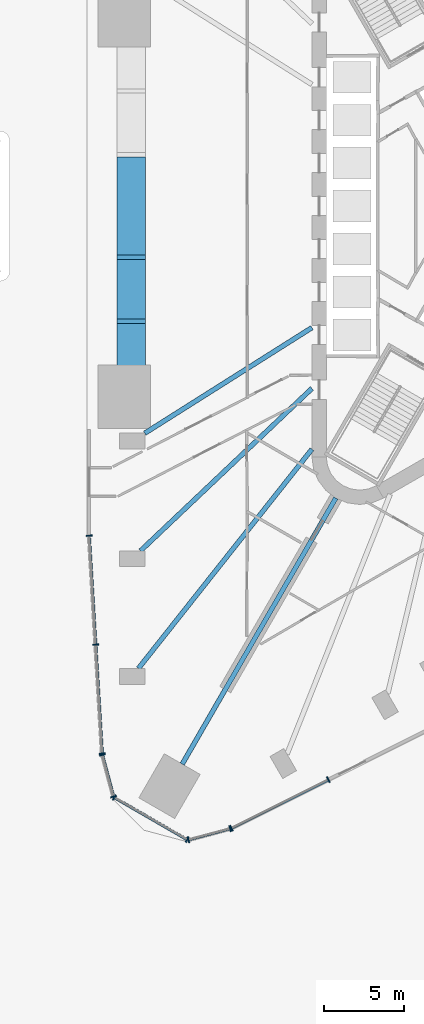
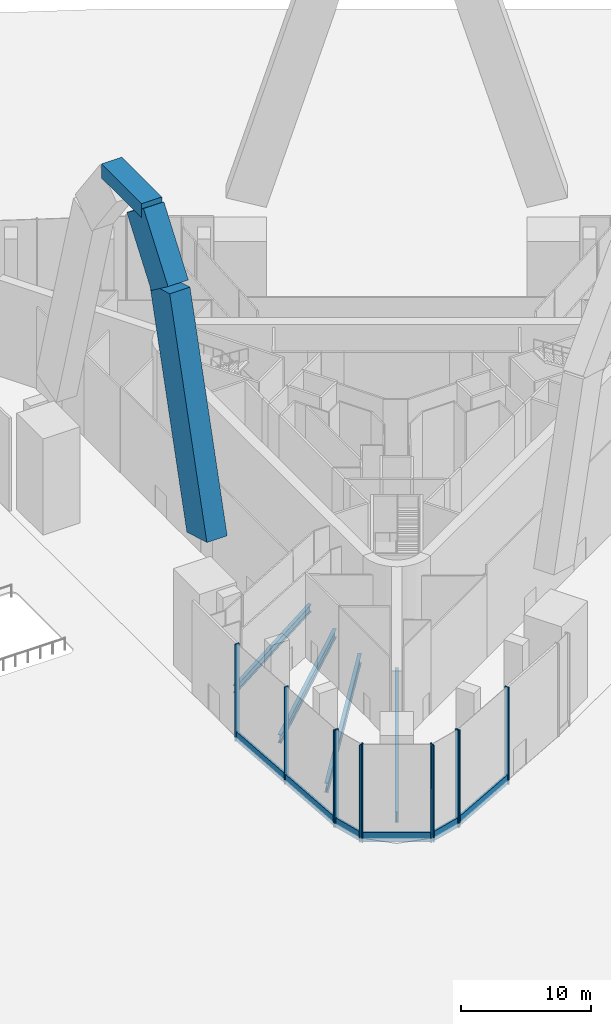
# One storey, part 2 of 22: 17 members, 7 beams, 5 elements without a shape of their own.
"""IFC4 building model written with IfcOpenShell, lengths in metres."""

from ifc_helpers import new_model, si_unit, direction, frame, origin, origin_2d, place, context, subcontext, project, spatial, rectangle, i_section, extrude, material, material_profile, profile_set, type_object, element, aggregate, save


model = new_model("IFC4")

# Units and contexts
model_context = context("Model", 3, precision=1e-05, world=origin(), true_north=direction((0.0, 1.0)))
body_context = subcontext(model_context, "Body", "Model", "MODEL_VIEW")
ifc_project = project(units=[si_unit("LENGTHUNIT", "METRE"), si_unit("AREAUNIT", "SQUARE_METRE"), si_unit("VOLUMEUNIT", "CUBIC_METRE"), si_unit("PLANEANGLEUNIT", "RADIAN"), si_unit("MASSUNIT", "GRAM", prefix="KILO")], contexts=[model_context])

# Site, building, storey
site_placement = place(None, origin())
site = spatial("IfcSite", under=ifc_project, at=site_placement, CompositionType="ELEMENT")
building_placement = place(site_placement, origin())
building = spatial("IfcBuilding", under=site, at=building_placement, Name="Tanit Gate Tower", CompositionType="ELEMENT")
storey_placement = place(building_placement, origin())
storey = spatial("IfcBuildingStorey", under=building, at=storey_placement, Name="L00", CompositionType="ELEMENT", Elevation=0.0)

# Beams
ifc_material_1 = material(Name="Concrete C80/95", Category="concrete")
ifc_material_profile_1 = material_profile(ifc_material_1, rectangle(XDim=1.800048828125, YDim=1.330078125, at=origin_2d()), Name="RC 1800x1330")
ifc_profile_set_1 = profile_set([ifc_material_profile_1], Name="Concrete C80/95")
beam_type_1 = type_object("IfcBeamType", Name="ARCH CROWN BEAM RC 1800x1330 C80/95", PredefinedType="USERDEFINED", material=ifc_profile_set_1)
beam_1_placement = place(storey_placement, frame((-23.453369140625, 3.074951171875, 37.864990234375), z_axis=(0.0, -1.0, 0.0), x_axis=(1.0, 0.0, 0.0)))
element("IfcBeam", 1, at=beam_1_placement, inside=storey, type_object=beam_type_1, Name="ARCH RIB", ObjectType="ARCH RIB", PredefinedType="USERDEFINED", context=body_context, shape_type="SweptSolid", body=[
    extrude(rectangle(XDim=1.800048828125, YDim=1.330078125, at=origin_2d()), origin(), (0.0, 0.0, 1.0), 6.14990234375),
])
ifc_material_2 = material(Name="Concrete C80/95", Category="concrete")
ifc_material_profile_2 = material_profile(ifc_material_2, rectangle(XDim=1.800048828125, YDim=3.199951171875, at=origin_2d()), Name="RC 1800x3200")
ifc_profile_set_2 = profile_set([ifc_material_profile_2], Name="Concrete C80/95")
beam_type_2 = type_object("IfcBeamType", Name="ARCH RIB RC 1800x3200 C80/95", PredefinedType="USERDEFINED", material=ifc_profile_set_2)
beam_2_placement = place(storey_placement, frame((-23.453369140625, -2.074951171875, 37.296630859375), z_axis=(0.0, -0.598157448459, -0.80137860394), x_axis=(1.0, 0.0, 0.0)))
element("IfcBeam", 2, at=beam_2_placement, inside=storey, type_object=beam_type_2, Name="ARCH RIB", ObjectType="ARCH RIB", PredefinedType="USERDEFINED", context=body_context, shape_type="SweptSolid", body=[
    extrude(rectangle(XDim=1.800048828125, YDim=3.199951171875, at=origin_2d()), origin(), (0.0, 0.0, 1.0), 6.28076171875),
])
beam_3_placement = place(storey_placement, frame((-23.453369140625, -5.831787109375, 32.263427734375), z_axis=(0.0, -0.276635672807, -0.960974871956), x_axis=(1.0, 0.0, 0.0)))
element("IfcBeam", 3, at=beam_3_placement, inside=storey, type_object=beam_type_2, Name="ARCH RIB", ObjectType="ARCH RIB", PredefinedType="USERDEFINED", context=body_context, shape_type="SweptSolid", body=[
    extrude(rectangle(XDim=1.800048828125, YDim=3.199951171875, at=origin_2d()), origin(), (0.0, 0.0, 1.0), 20.625732421875),
])

# Curtain wall, members
ifc_material_3 = material(Name="Aluminium bronze anodised and glass", Category="aluminium")
curtain_wall_type = type_object("IfcCurtainWallType", Name="Curtain wall shopfront", PredefinedType="NOTDEFINED", material=ifc_material_3)
curtain_wall_1_placement = place(storey_placement, origin())
curtain_wall_1 = element("IfcCurtainWall", 4, at=curtain_wall_1_placement, inside=storey, type_object=curtain_wall_type, Name="Curtain wall L00 W3", PredefinedType="NOTDEFINED")
ifc_material_4 = material(Name="Aluminium bronze anodised", Category="aluminium")
ifc_material_profile_3 = material_profile(ifc_material_4, rectangle(XDim=0.3798828125, YDim=0.080078125, at=origin_2d()), Name="80x380 bronze mullion")
ifc_profile_set_3 = profile_set([ifc_material_profile_3], Name="Aluminium bronze anodised")
member_type_1 = type_object("IfcMemberType", Name="Mullion 80x380 shopfront", PredefinedType="MULLION", material=ifc_profile_set_3)
member_1_placement = place(storey_placement, frame((-26.1044921875, -20.72509765625, -0.39990234375), z_axis=(0.0, 0.0, 1.0), x_axis=(0.998222063326, 0.059604633121, 0.0)))
member_1 = element("IfcMember", 5, at=member_1_placement, type_object=member_type_1, Name="Mullion L00 W3.1", PredefinedType="MULLION", context=body_context, shape_type="SweptSolid", body=[
    extrude(rectangle(XDim=0.3798828125, YDim=0.080078125, at=origin_2d()), origin(), (0.0, 0.0, 1.0), 9.099853515625),
])
member_2_placement = place(storey_placement, frame((-25.695556640625, -27.57373046875, -0.39990234375), z_axis=(0.0, 0.0, 1.0), x_axis=(0.998222063326, 0.059604633121, 0.0)))
member_2 = element("IfcMember", 6, at=member_2_placement, type_object=member_type_1, Name="Mullion L00 W3.2", PredefinedType="MULLION", context=body_context, shape_type="SweptSolid", body=[
    extrude(rectangle(XDim=0.3798828125, YDim=0.080078125, at=origin_2d()), origin(), (0.0, 0.0, 1.0), 9.099853515625),
])
member_3_placement = place(storey_placement, frame((-25.28662109375, -34.422119140625, -0.39990234375), z_axis=(0.0, 0.0, 1.0), x_axis=(0.998222063326, 0.059604633121, 0.0)))
member_3 = element("IfcMember", 7, at=member_3_placement, type_object=member_type_1, Name="Mullion L00 W3.3", PredefinedType="MULLION", context=body_context, shape_type="SweptSolid", body=[
    extrude(rectangle(XDim=0.3798828125, YDim=0.080078125, at=origin_2d()), origin(), (0.0, 0.0, 1.0), 9.099853515625),
])

curtain_wall_2_placement = place(storey_placement, origin())
curtain_wall_2 = element("IfcCurtainWall", 8, at=curtain_wall_2_placement, inside=storey, type_object=curtain_wall_type, Name="Curtain wall L00 SW.arc1", PredefinedType="NOTDEFINED")
member_4_placement = place(storey_placement, frame((-25.27392578125, -34.500732421875, -0.39990234375), z_axis=(0.0, 0.0, 1.0), x_axis=(0.965925826289, 0.258819045103, 0.0)))
member_4 = element("IfcMember", 9, at=member_4_placement, type_object=member_type_1, Name="Mullion L00 SW.arc1.1", PredefinedType="MULLION", context=body_context, shape_type="SweptSolid", body=[
    extrude(rectangle(XDim=0.3798828125, YDim=0.080078125, at=origin_2d()), origin(), (0.0, 0.0, 1.0), 9.099853515625),
])
member_5_placement = place(storey_placement, frame((-24.56982421875, -37.12841796875, -0.39990234375), z_axis=(0.0, 0.0, 1.0), x_axis=(0.965925826289, 0.258819045103, 0.0)))
member_5 = element("IfcMember", 10, at=member_5_placement, type_object=member_type_1, Name="Mullion L00 SW.arc1.2", PredefinedType="MULLION", context=body_context, shape_type="SweptSolid", body=[
    extrude(rectangle(XDim=0.3798828125, YDim=0.080078125, at=origin_2d()), origin(), (0.0, 0.0, 1.0), 9.099853515625),
])

curtain_wall_3_placement = place(storey_placement, origin())
curtain_wall_3 = element("IfcCurtainWall", 11, at=curtain_wall_3_placement, inside=storey, type_object=curtain_wall_type, Name="Curtain wall L00 SW.arc2", PredefinedType="NOTDEFINED")
member_6_placement = place(storey_placement, frame((-24.52490234375, -37.18701171875, -0.39990234375), z_axis=(0.0, 0.0, 1.0), x_axis=(0.5, 0.866025403784, 0.0)))
member_6 = element("IfcMember", 12, at=member_6_placement, type_object=member_type_1, Name="Mullion L00 SW.arc2.1", PredefinedType="MULLION", context=body_context, shape_type="SweptSolid", body=[
    extrude(rectangle(XDim=0.3798828125, YDim=0.080078125, at=origin_2d()), origin(), (0.0, 0.0, 1.0), 9.099853515625),
])
member_7_placement = place(storey_placement, frame((-19.9423828125, -39.832763671875, -0.39990234375), z_axis=(0.0, 0.0, 1.0), x_axis=(0.5, 0.866025403784, 0.0)))
member_7 = element("IfcMember", 13, at=member_7_placement, type_object=member_type_1, Name="Mullion L00 SW.arc2.2", PredefinedType="MULLION", context=body_context, shape_type="SweptSolid", body=[
    extrude(rectangle(XDim=0.3798828125, YDim=0.080078125, at=origin_2d()), origin(), (0.0, 0.0, 1.0), 9.099853515625),
])

curtain_wall_4_placement = place(storey_placement, origin())
curtain_wall_4 = element("IfcCurtainWall", 14, at=curtain_wall_4_placement, inside=storey, type_object=curtain_wall_type, Name="Curtain wall L00 SW.arc3", PredefinedType="NOTDEFINED")
member_8_placement = place(storey_placement, frame((-19.869140625, -39.84228515625, -0.39990234375), z_axis=(0.0, 0.0, 1.0), x_axis=(-0.258819045103, 0.965925826289, 0.0)))
member_8 = element("IfcMember", 15, at=member_8_placement, type_object=member_type_1, Name="Mullion L00 SW.arc3.1", PredefinedType="MULLION", context=body_context, shape_type="SweptSolid", body=[
    extrude(rectangle(XDim=0.3798828125, YDim=0.080078125, at=origin_2d()), origin(), (0.0, 0.0, 1.0), 9.099853515625),
])
member_9_placement = place(storey_placement, frame((-17.241455078125, -39.13818359375, -0.39990234375), z_axis=(0.0, 0.0, 1.0), x_axis=(-0.258819045103, 0.965925826289, 0.0)))
member_9 = element("IfcMember", 16, at=member_9_placement, type_object=member_type_1, Name="Mullion L00 SW.arc3.2", PredefinedType="MULLION", context=body_context, shape_type="SweptSolid", body=[
    extrude(rectangle(XDim=0.3798828125, YDim=0.080078125, at=origin_2d()), origin(), (0.0, 0.0, 1.0), 9.099853515625),
])

curtain_wall_5_placement = place(storey_placement, origin())
curtain_wall_5 = element("IfcCurtainWall", 17, at=curtain_wall_5_placement, inside=storey, type_object=curtain_wall_type, Name="Curtain wall L00 SE1a", PredefinedType="NOTDEFINED")
member_10_placement = place(storey_placement, frame((-17.167236328125, -39.110107421875, -0.39990234375), z_axis=(0.0, 0.0, 1.0), x_axis=(-0.44730653232, 0.894380716554, 0.0)))
member_10 = element("IfcMember", 18, at=member_10_placement, type_object=member_type_1, Name="Mullion L00 SE1a.1", PredefinedType="MULLION", context=body_context, shape_type="SweptSolid", body=[
    extrude(rectangle(XDim=0.3798828125, YDim=0.080078125, at=origin_2d()), origin(), (0.0, 0.0, 1.0), 9.099853515625),
])
member_11_placement = place(storey_placement, frame((-11.066650390625, -36.05908203125, -0.39990234375), z_axis=(0.0, 0.0, 1.0), x_axis=(-0.44730653232, 0.894380716554, 0.0)))
member_11 = element("IfcMember", 19, at=member_11_placement, type_object=member_type_1, Name="Mullion L00 SE1a.2", PredefinedType="MULLION", context=body_context, shape_type="SweptSolid", body=[
    extrude(rectangle(XDim=0.3798828125, YDim=0.080078125, at=origin_2d()), origin(), (0.0, 0.0, 1.0), 9.099853515625),
])

# Beams
ifc_material_5 = material(Name="Steel S355", Category="steel")
ifc_material_profile_4 = material_profile(ifc_material_5, i_section(OverallWidth=0.300048828125, OverallDepth=0.68994140625, WebThickness=0.014404296875, FlangeThickness=0.027099609375, FilletRadius=0.027099609375, at=origin_2d()), Name="HEA 700")
ifc_profile_set_4 = profile_set([ifc_material_profile_4], Name="Steel S355")
beam_type_3 = type_object("IfcBeamType", Name="RADIAL GIRDER HEA 700 S355", PredefinedType="BEAM", material=ifc_profile_set_4)
beam_4_placement = place(storey_placement, frame((-22.61181640625, -14.282958984375, -0.7451171875), z_axis=(0.845455299751, 0.534046192874, 0.0), x_axis=(-0.534046192874, 0.845455299751, 0.0)))
element("IfcBeam", 20, at=beam_4_placement, inside=storey, type_object=beam_type_3, Name="RADIAL GIRDER", PredefinedType="BEAM", context=body_context, shape_type="SweptSolid", body=[
    extrude(i_section(OverallWidth=0.300048828125, OverallDepth=0.68994140625, WebThickness=0.014404296875, FlangeThickness=0.027099609375, FilletRadius=0.027099609375, at=origin_2d()), origin(), (0.0, 0.0, 1.0), 12.430908203125),
])
ifc_material_6 = material(Name="Steel S355", Category="steel")
ifc_material_profile_5 = material_profile(ifc_material_6, i_section(OverallWidth=0.300048828125, OverallDepth=0.7900390625, WebThickness=0.014892578125, FlangeThickness=0.028076171875, FilletRadius=0.030029296875, at=origin_2d()), Name="HEA 800")
ifc_profile_set_5 = profile_set([ifc_material_profile_5], Name="Steel S355")
beam_type_4 = type_object("IfcBeamType", Name="RADIAL GIRDER HEA 800 S355", PredefinedType="BEAM", material=ifc_profile_set_5)
beam_5_placement = place(storey_placement, frame((-22.875732421875, -21.67431640625, -0.794921875), z_axis=(0.725906863399, 0.687793010774, 0.0), x_axis=(-0.687793010774, 0.725906863399, 0.0)))
element("IfcBeam", 21, at=beam_5_placement, inside=storey, type_object=beam_type_4, Name="RADIAL GIRDER", PredefinedType="BEAM", context=body_context, shape_type="SweptSolid", body=[
    extrude(i_section(OverallWidth=0.300048828125, OverallDepth=0.7900390625, WebThickness=0.014892578125, FlangeThickness=0.028076171875, FilletRadius=0.030029296875, at=origin_2d()), origin(), (0.0, 0.0, 1.0), 14.841796875),
])
ifc_material_7 = material(Name="Steel S355", Category="steel")
ifc_material_profile_6 = material_profile(ifc_material_7, i_section(OverallWidth=0.300048828125, OverallDepth=0.889892578125, WebThickness=0.01611328125, FlangeThickness=0.030029296875, FilletRadius=0.030029296875, at=origin_2d()), Name="HEA 900")
ifc_profile_set_6 = profile_set([ifc_material_profile_6], Name="Steel S355")
beam_type_5 = type_object("IfcBeamType", Name="RADIAL GIRDER HEA 900 S355", PredefinedType="BEAM", material=ifc_profile_set_6)
beam_6_placement = place(storey_placement, frame((-23.007568359375, -29.06591796875, -0.844970703125), z_axis=(0.620648848158, 0.784088647591, 0.0), x_axis=(-0.784088647591, 0.620648848158, 0.0)))
element("IfcBeam", 22, at=beam_6_placement, inside=storey, type_object=beam_type_5, Name="RADIAL GIRDER", PredefinedType="BEAM", context=body_context, shape_type="SweptSolid", body=[
    extrude(i_section(OverallWidth=0.300048828125, OverallDepth=0.889892578125, WebThickness=0.01611328125, FlangeThickness=0.030029296875, FilletRadius=0.030029296875, at=origin_2d()), origin(), (0.0, 0.0, 1.0), 17.571044921875),
])
ifc_material_8 = material(Name="Steel S355", Category="steel")
ifc_material_profile_7 = material_profile(ifc_material_8, i_section(OverallWidth=0.300048828125, OverallDepth=1.0, WebThickness=0.01904296875, FlangeThickness=0.035888671875, FilletRadius=0.030029296875, at=origin_2d()), Name="HEB 1000")
ifc_profile_set_7 = profile_set([ifc_material_profile_7], Name="Steel S355")
beam_type_6 = type_object("IfcBeamType", Name="RADIAL GIRDER HEB 1000 S355", PredefinedType="BEAM", material=ifc_profile_set_7)
beam_7_placement = place(storey_placement, frame((-20.255615234375, -35.083740234375, -0.89990234375), z_axis=(0.499994246912, 0.866028725306, 0.0), x_axis=(-0.866028725306, 0.499994246912, 0.0)))
element("IfcBeam", 23, at=beam_7_placement, inside=storey, type_object=beam_type_6, Name="RADIAL GIRDER", PredefinedType="BEAM", context=body_context, shape_type="SweptSolid", body=[
    extrude(i_section(OverallWidth=0.300048828125, OverallDepth=1.0, WebThickness=0.01904296875, FlangeThickness=0.035888671875, FilletRadius=0.030029296875, at=origin_2d()), origin(), (0.0, 0.0, 1.0), 19.309326171875),
])

# Member
ifc_material_9 = material(Name="Aluminium bronze anodised", Category="aluminium")
ifc_material_profile_8 = material_profile(ifc_material_9, rectangle(XDim=0.179931640625, YDim=0.89990234375, at=origin_2d()), Name="180x900 bronze transom")
ifc_profile_set_8 = profile_set([ifc_material_profile_8], Name="Aluminium bronze anodised")
member_type_2 = type_object("IfcMemberType", Name="Transom 180x900 shopfront", PredefinedType="USERDEFINED", material=ifc_profile_set_8)
member_12_placement = place(storey_placement, frame((-26.102294921875, -20.76513671875, 0.050048828125), z_axis=(0.059625367417, -0.998220825048, 0.0), x_axis=(0.998220825048, 0.059625367417, 0.0)))
member_12 = element("IfcMember", 24, at=member_12_placement, type_object=member_type_2, Name="Transom L00 W3.1", ObjectType="TRANSOM", PredefinedType="USERDEFINED", context=body_context, shape_type="SweptSolid", body=[
    extrude(rectangle(XDim=0.179931640625, YDim=0.89990234375, at=origin_2d()), origin(), (0.0, 0.0, 1.0), 6.780517578125),
])

member_13_placement = place(storey_placement, frame((-25.693359375, -27.613525390625, 0.050048828125), z_axis=(0.059623224463, -0.998220953048, 0.0), x_axis=(0.998220953048, 0.059623224463, 0.0)))
member_13 = element("IfcMember", 25, at=member_13_placement, type_object=member_type_2, Name="Transom L00 W3.2", ObjectType="TRANSOM", PredefinedType="USERDEFINED", context=body_context, shape_type="SweptSolid", body=[
    extrude(rectangle(XDim=0.179931640625, YDim=0.89990234375, at=origin_2d()), origin(), (0.0, 0.0, 1.0), 6.78076171875),
])

aggregate(curtain_wall_1, [member_1, member_2, member_3, member_12, member_13])

member_14_placement = place(storey_placement, frame((-25.263671875, -34.539306640625, 0.050048828125), z_axis=(0.258796165988, -0.965931956439, 0.0), x_axis=(0.965931956439, 0.258796165988, 0.0)))
member_14 = element("IfcMember", 26, at=member_14_placement, type_object=member_type_2, Name="Transom L00 SW.arc1.1", ObjectType="TRANSOM", PredefinedType="USERDEFINED", context=body_context, shape_type="SweptSolid", body=[
    extrude(rectangle(XDim=0.179931640625, YDim=0.89990234375, at=origin_2d()), origin(), (0.0, 0.0, 1.0), 2.640380859375),
])

aggregate(curtain_wall_2, [member_4, member_5, member_14])

member_15_placement = place(storey_placement, frame((-24.490234375, -37.20703125, 0.050048828125), z_axis=(0.866023315909, -0.500003616288, 0.0), x_axis=(0.500003616288, 0.866023315909, 0.0)))
member_15 = element("IfcMember", 27, at=member_15_placement, type_object=member_type_2, Name="Transom L00 SW.arc2.1", ObjectType="TRANSOM", PredefinedType="USERDEFINED", context=body_context, shape_type="SweptSolid", body=[
    extrude(rectangle(XDim=0.179931640625, YDim=0.89990234375, at=origin_2d()), origin(), (0.0, 0.0, 1.0), 5.21142578125),
])

aggregate(curtain_wall_3, [member_6, member_7, member_15])

member_16_placement = place(storey_placement, frame((-19.83056640625, -39.83203125, 0.050048828125), z_axis=(0.965925763044, 0.258819281137, 0.0), x_axis=(-0.258819281137, 0.965925763044, 0.0)))
member_16 = element("IfcMember", 28, at=member_16_placement, type_object=member_type_2, Name="Transom L00 SW.arc3.1", ObjectType="TRANSOM", PredefinedType="USERDEFINED", context=body_context, shape_type="SweptSolid", body=[
    extrude(rectangle(XDim=0.179931640625, YDim=0.89990234375, at=origin_2d()), origin(), (0.0, 0.0, 1.0), 2.64013671875),
])

aggregate(curtain_wall_4, [member_8, member_9, member_16])

member_17_placement = place(storey_placement, frame((-17.13134765625, -39.09228515625, 0.050048828125), z_axis=(0.894369234565, 0.447329489597, 0.0), x_axis=(-0.447329489597, 0.894369234565, 0.0)))
member_17 = element("IfcMember", 29, at=member_17_placement, type_object=member_type_2, Name="Transom L00 SE1a.1", ObjectType="TRANSOM", PredefinedType="USERDEFINED", context=body_context, shape_type="SweptSolid", body=[
    extrude(rectangle(XDim=0.179931640625, YDim=0.89990234375, at=origin_2d()), origin(), (0.0, 0.0, 1.0), 6.740966796875),
])

aggregate(curtain_wall_5, [member_10, member_11, member_17])

save(model, "model.ifc")
